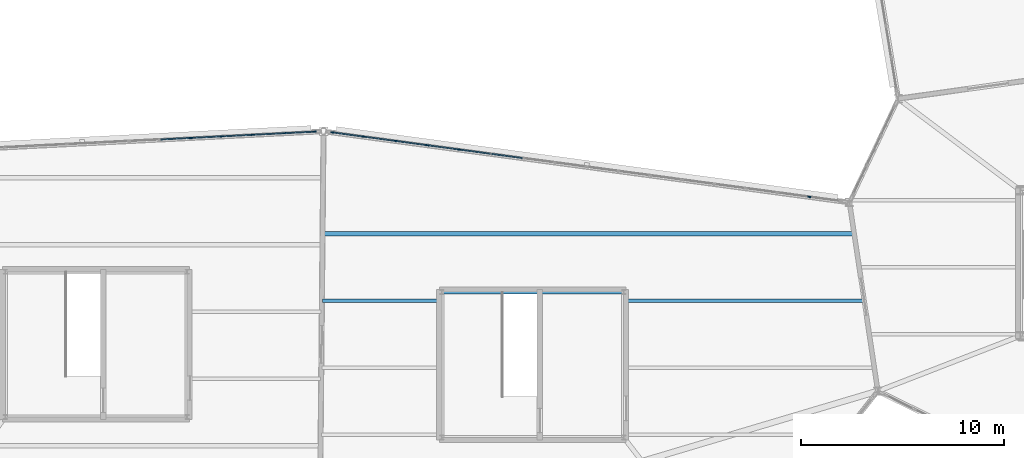
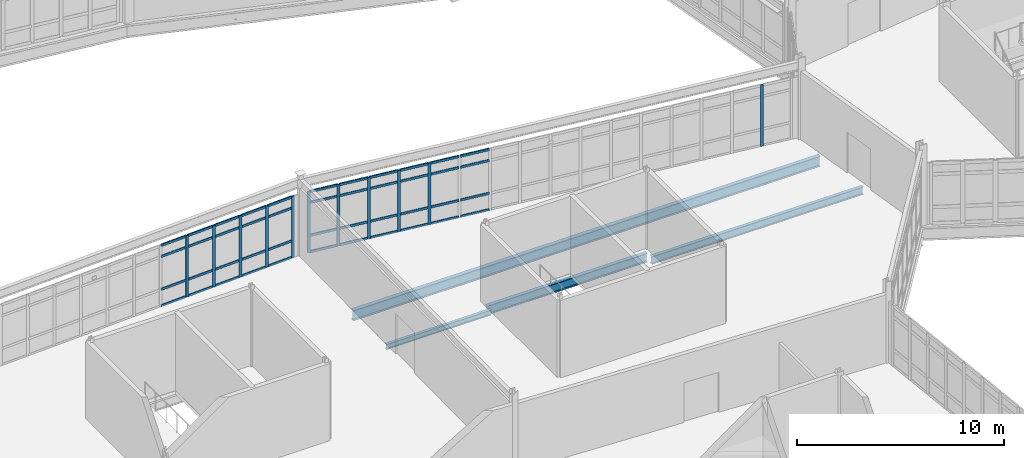
# One storey, part 33 of 134: 55 members, 4 beams, 2 elements without a shape of their own.
"""IFC4 building model written with IfcOpenShell, lengths in metres."""

from ifc_helpers import new_model, si_unit, direction, frame, origin, origin_2d, place, context, subcontext, project, spatial, rectangle, i_section, extrude, material, material_profile, profile_set, type_object, element, aggregate, save


model = new_model("IFC4")

# Units and contexts
model_context = context("Model", 3, precision=1e-05, world=origin(), true_north=direction((0.0, 1.0)))
body_context = subcontext(model_context, "Body", "Model", "MODEL_VIEW")
ifc_project = project(units=[si_unit("LENGTHUNIT", "METRE"), si_unit("AREAUNIT", "SQUARE_METRE"), si_unit("VOLUMEUNIT", "CUBIC_METRE"), si_unit("PLANEANGLEUNIT", "RADIAN"), si_unit("MASSUNIT", "GRAM", prefix="KILO")], contexts=[model_context])

# Site, building, storey
site_placement = place(None, origin())
site = spatial("IfcSite", under=ifc_project, at=site_placement, CompositionType="ELEMENT")
building_placement = place(site_placement, origin())
building = spatial("IfcBuilding", under=site, at=building_placement, Name="Tameran Prism Museum", CompositionType="ELEMENT")
storey_placement = place(building_placement, frame((0.0, 0.0, 5.39990234375)))
storey = spatial("IfcBuildingStorey", under=building, at=storey_placement, Name="L01", CompositionType="ELEMENT", Elevation=5.39990234375)

# Beams
ifc_material_1 = material(Name="Steel Grade 300PLUS (300 MPa)", Category="steel")
ifc_material_profile_1 = material_profile(ifc_material_1, i_section(OverallWidth=0.166015625, OverallDepth=0.306884765625, WebThickness=0.006591796875, FlangeThickness=0.01171875, FilletRadius=0.011474609375, at=origin_2d()))
ifc_profile_set_1 = profile_set([ifc_material_profile_1])
beam_type_1 = type_object("IfcBeamType", Name="BM-J310A", PredefinedType="JOIST", material=ifc_profile_set_1)
beam_1_placement = place(storey_placement, frame((23.659912109375, 34.64990234375, -0.353515625), z_axis=(1.0, 0.0, 0.0), x_axis=(0.0, 1.0, 0.0)))
element("IfcBeam", 1, at=beam_1_placement, inside=storey, type_object=beam_type_1, Name="Floor Beam BM-0610", PredefinedType="JOIST", context=body_context, shape_type="SweptSolid", body=[
    extrude(i_section(OverallWidth=0.166015625, OverallDepth=0.306884765625, WebThickness=0.006591796875, FlangeThickness=0.01171875, FilletRadius=0.011474609375, at=origin_2d()), origin(), (0.0, 0.0, 1.0), 5.860107421875),
])
ifc_material_2 = material(Name="Steel Grade 300PLUS (300 MPa)", Category="steel")
ifc_material_profile_2 = material_profile(ifc_material_2, i_section(OverallWidth=0.18994140625, OverallDepth=0.4541015625, WebThickness=0.008544921875, FlangeThickness=0.0126953125, FilletRadius=0.011474609375, at=origin_2d()))
ifc_profile_set_2 = profile_set([ifc_material_profile_2])
beam_type_2 = type_object("IfcBeamType", Name="BM-J460B", PredefinedType="JOIST", material=ifc_profile_set_2)
beam_2_placement = place(storey_placement, frame((38.47998046875, 34.64990234375, -0.427001953125), z_axis=(1.0, 0.0, 0.0), x_axis=(0.0, 1.0, 0.0)))
element("IfcBeam", 2, at=beam_2_placement, inside=storey, type_object=beam_type_2, Name="Floor Beam BM-0611", PredefinedType="JOIST", context=body_context, shape_type="SweptSolid", body=[
    extrude(i_section(OverallWidth=0.18994140625, OverallDepth=0.4541015625, WebThickness=0.008544921875, FlangeThickness=0.0126953125, FilletRadius=0.011474609375, at=origin_2d()), origin(), (0.0, 0.0, 1.0), 11.81005859375),
])
ifc_material_3 = material(Name="Steel Grade 300PLUS (300 MPa)", Category="steel")
ifc_material_profile_3 = material_profile(ifc_material_3, i_section(OverallWidth=0.208984375, OverallDepth=0.528076171875, WebThickness=0.009521484375, FlangeThickness=0.01318359375, FilletRadius=0.013916015625, at=origin_2d()))
ifc_profile_set_3 = profile_set([ifc_material_profile_3])
beam_type_3 = type_object("IfcBeamType", Name="BM-SP530B", PredefinedType="SPANDREL", material=ifc_profile_set_3)
beam_3_placement = place(storey_placement, frame((38.47998046875, 35.080078125, -0.50390625), z_axis=(-1.0, 0.0, 0.0), x_axis=(0.0, -1.0, 0.0)))
element("IfcBeam", 3, at=beam_3_placement, inside=storey, type_object=beam_type_3, Name="Core Ring Beam CTB-0484", PredefinedType="SPANDREL", context=body_context, shape_type="SweptSolid", body=[
    extrude(i_section(OverallWidth=0.208984375, OverallDepth=0.528076171875, WebThickness=0.009521484375, FlangeThickness=0.01318359375, FilletRadius=0.013916015625, at=origin_2d()), origin(), (0.0, 0.0, 1.0), 8.9599609375),
])
ifc_material_4 = material(Name="Steel Grade 300PLUS (300 MPa)", Category="steel")
ifc_material_profile_4 = material_profile(ifc_material_4, i_section(OverallWidth=0.22802734375, OverallDepth=0.60693359375, WebThickness=0.01123046875, FlangeThickness=0.017333984375, FilletRadius=0.013916015625, at=origin_2d()))
ifc_profile_set_4 = profile_set([ifc_material_profile_4])
beam_type_4 = type_object("IfcBeamType", Name="BM-UB610B", PredefinedType="BEAM", material=ifc_profile_set_4)
beam_4_placement = place(storey_placement, frame((23.69189453125, 37.949951171875, -0.50341796875), z_axis=(1.0, 0.0, 0.0), x_axis=(0.0, 1.0, 0.0)))
element("IfcBeam", 4, at=beam_4_placement, inside=storey, type_object=beam_type_4, Name="Floor Beam BM-0612", PredefinedType="BEAM", context=body_context, shape_type="SweptSolid", body=[
    extrude(i_section(OverallWidth=0.22802734375, OverallDepth=0.60693359375, WebThickness=0.01123046875, FlangeThickness=0.017333984375, FilletRadius=0.013916015625, at=origin_2d()), origin(), (0.0, 0.0, 1.0), 26.10107421875),
])

# Curtain wall, members
ifc_material_5 = material(Name="Anodised Aluminium 6063-T6 and Cyclone Solar Glass", Category="aluminium")
curtain_wall_type_1 = type_object("IfcCurtainWallType", Name="CW-FAC-2297x362", PredefinedType="USERDEFINED", material=ifc_material_5)
curtain_wall_1_placement = place(storey_placement, origin())
curtain_wall_1 = element("IfcCurtainWall", 5, at=curtain_wall_1_placement, inside=storey, type_object=curtain_wall_type_1, Name="Unitised Curtain Wall CW-087", ObjectType="UNITISED CURTAIN WALL", PredefinedType="USERDEFINED")
ifc_material_6 = material(Name="Anodised Aluminium Alloy 6063-T6", Category="aluminium")
ifc_material_profile_5 = material_profile(ifc_material_6, rectangle(XDim=0.06494140625, YDim=0.159912109375, at=origin_2d()))
ifc_profile_set_5 = profile_set([ifc_material_profile_5])
member_type_1 = type_object("IfcMemberType", Name="CW-MUL-A", PredefinedType="MULLION", material=ifc_profile_set_5)
member_1_placement = place(storey_placement, frame((17.172607421875, 42.66943359375, 0.0), z_axis=(0.0, 0.0, 1.0), x_axis=(-0.050545595335, 0.99872175444, 0.0)))
member_1 = element("IfcMember", 6, at=member_1_placement, type_object=member_type_1, Name="CW-087 mullion 12", PredefinedType="MULLION", context=body_context, shape_type="SweptSolid", body=[
    extrude(rectangle(XDim=0.06494140625, YDim=0.159912109375, at=origin_2d()), origin(), (0.0, 0.0, 1.0), 3.6201171875),
])
member_2_placement = place(storey_placement, frame((18.701904296875, 42.746826171875, 0.0), z_axis=(0.0, 0.0, 1.0), x_axis=(-0.050545595335, 0.99872175444, 0.0)))
member_2 = element("IfcMember", 7, at=member_2_placement, type_object=member_type_1, Name="CW-087 mullion 13", PredefinedType="MULLION", context=body_context, shape_type="SweptSolid", body=[
    extrude(rectangle(XDim=0.06494140625, YDim=0.159912109375, at=origin_2d()), origin(), (0.0, 0.0, 1.0), 3.6201171875),
])
member_3_placement = place(storey_placement, frame((20.2314453125, 42.82421875, 0.0), z_axis=(0.0, 0.0, 1.0), x_axis=(-0.050545595335, 0.99872175444, 0.0)))
member_3 = element("IfcMember", 8, at=member_3_placement, type_object=member_type_1, Name="CW-087 mullion 14", PredefinedType="MULLION", context=body_context, shape_type="SweptSolid", body=[
    extrude(rectangle(XDim=0.06494140625, YDim=0.159912109375, at=origin_2d()), origin(), (0.0, 0.0, 1.0), 3.6201171875),
])
member_4_placement = place(storey_placement, frame((21.7607421875, 42.901611328125, 0.0), z_axis=(0.0, 0.0, 1.0), x_axis=(-0.050545595335, 0.99872175444, 0.0)))
member_4 = element("IfcMember", 9, at=member_4_placement, type_object=member_type_1, Name="CW-087 mullion 15", PredefinedType="MULLION", context=body_context, shape_type="SweptSolid", body=[
    extrude(rectangle(XDim=0.06494140625, YDim=0.159912109375, at=origin_2d()), origin(), (0.0, 0.0, 1.0), 3.6201171875),
])
member_5_placement = place(storey_placement, frame((23.257568359375, 42.977294921875, 0.0), z_axis=(0.0, 0.0, 1.0), x_axis=(-0.050545595335, 0.99872175444, 0.0)))
member_5 = element("IfcMember", 10, at=member_5_placement, type_object=member_type_1, Name="CW-087 mullion 16", PredefinedType="MULLION", context=body_context, shape_type="SweptSolid", body=[
    extrude(rectangle(XDim=0.06494140625, YDim=0.159912109375, at=origin_2d()), origin(), (0.0, 0.0, 1.0), 3.6201171875),
])

ifc_material_7 = material(Name="Anodised Aluminium 6063-T6 and Cyclone Solar Glass", Category="aluminium")
curtain_wall_type_2 = type_object("IfcCurtainWallType", Name="CW-FAC-2532x362", PredefinedType="USERDEFINED", material=ifc_material_7)
curtain_wall_2_placement = place(storey_placement, origin())
curtain_wall_2 = element("IfcCurtainWall", 11, at=curtain_wall_2_placement, inside=storey, type_object=curtain_wall_type_2, Name="Unitised Curtain Wall CW-091", ObjectType="UNITISED CURTAIN WALL", PredefinedType="USERDEFINED")
member_6_placement = place(storey_placement, frame((24.13916015625, 42.940673828125, 0.0), z_axis=(0.0, 0.0, 1.0), x_axis=(0.133912653592, 0.99099313883, 0.0)))
member_6 = element("IfcMember", 12, at=member_6_placement, type_object=member_type_1, Name="CW-091 mullion 1", PredefinedType="MULLION", context=body_context, shape_type="SweptSolid", body=[
    extrude(rectangle(XDim=0.06494140625, YDim=0.159912109375, at=origin_2d()), origin(), (0.0, 0.0, 1.0), 3.6201171875),
])
member_7_placement = place(storey_placement, frame((25.675048828125, 42.733154296875, 0.0), z_axis=(0.0, 0.0, 1.0), x_axis=(0.133912653592, 0.99099313883, 0.0)))
member_7 = element("IfcMember", 13, at=member_7_placement, type_object=member_type_1, Name="CW-091 mullion 2", PredefinedType="MULLION", context=body_context, shape_type="SweptSolid", body=[
    extrude(rectangle(XDim=0.06494140625, YDim=0.159912109375, at=origin_2d()), origin(), (0.0, 0.0, 1.0), 3.6201171875),
])
member_8_placement = place(storey_placement, frame((27.242919921875, 42.521240234375, 0.0), z_axis=(0.0, 0.0, 1.0), x_axis=(0.133912653592, 0.99099313883, 0.0)))
member_8 = element("IfcMember", 14, at=member_8_placement, type_object=member_type_1, Name="CW-091 mullion 3", PredefinedType="MULLION", context=body_context, shape_type="SweptSolid", body=[
    extrude(rectangle(XDim=0.06494140625, YDim=0.159912109375, at=origin_2d()), origin(), (0.0, 0.0, 1.0), 3.6201171875),
])
member_9_placement = place(storey_placement, frame((28.810791015625, 42.309326171875, 0.0), z_axis=(0.0, 0.0, 1.0), x_axis=(0.133912653592, 0.99099313883, 0.0)))
member_9 = element("IfcMember", 15, at=member_9_placement, type_object=member_type_1, Name="CW-091 mullion 4", PredefinedType="MULLION", context=body_context, shape_type="SweptSolid", body=[
    extrude(rectangle(XDim=0.06494140625, YDim=0.159912109375, at=origin_2d()), origin(), (0.0, 0.0, 1.0), 3.6201171875),
])
member_10_placement = place(storey_placement, frame((30.378662109375, 42.097412109375, 0.0), z_axis=(0.0, 0.0, 1.0), x_axis=(0.133912653592, 0.99099313883, 0.0)))
member_10 = element("IfcMember", 16, at=member_10_placement, type_object=member_type_1, Name="CW-091 mullion 5", PredefinedType="MULLION", context=body_context, shape_type="SweptSolid", body=[
    extrude(rectangle(XDim=0.06494140625, YDim=0.159912109375, at=origin_2d()), origin(), (0.0, 0.0, 1.0), 3.6201171875),
])
member_11_placement = place(storey_placement, frame((47.6259765625, 39.766845703125, 0.0), z_axis=(0.0, 0.0, 1.0), x_axis=(0.133912653592, 0.99099313883, 0.0)))
member_11 = element("IfcMember", 17, at=member_11_placement, type_object=member_type_1, Name="CW-091 mullion 16", PredefinedType="MULLION", context=body_context, shape_type="SweptSolid", body=[
    extrude(rectangle(XDim=0.06494140625, YDim=0.159912109375, at=origin_2d()), origin(), (0.0, 0.0, 1.0), 3.6201171875),
])

# Member
ifc_material_8 = material(Name="Anodised Aluminium Alloy 6063-T6", Category="aluminium")
ifc_material_profile_6 = material_profile(ifc_material_8, rectangle(XDim=0.06494140625, YDim=0.139892578125, at=origin_2d()))
ifc_profile_set_6 = profile_set([ifc_material_profile_6])
member_type_2 = type_object("IfcMemberType", Name="CW-TRN-A", PredefinedType="USERDEFINED", material=ifc_profile_set_6)
member_12_placement = place(storey_placement, frame((15.67578125, 42.59375, 0.03271484375), z_axis=(0.99872646148, 0.050452503806, 0.0), x_axis=(-0.050452503806, 0.99872646148, 0.0)))
member_12 = element("IfcMember", 18, at=member_12_placement, type_object=member_type_2, Name="CW-087 transom 11.1", ObjectType="TRANSOM", PredefinedType="USERDEFINED", context=body_context, shape_type="SweptSolid", body=[
    extrude(rectangle(XDim=0.06494140625, YDim=0.139892578125, at=origin_2d()), origin(), (0.0, 0.0, 1.0), 1.46630859375),
])

member_13_placement = place(storey_placement, frame((15.67578125, 42.59375, 1.0), z_axis=(0.99872646148, 0.050452503806, 0.0), x_axis=(-0.050452503806, 0.99872646148, 0.0)))
member_13 = element("IfcMember", 19, at=member_13_placement, type_object=member_type_2, Name="CW-087 transom 11.2", ObjectType="TRANSOM", PredefinedType="USERDEFINED", context=body_context, shape_type="SweptSolid", body=[
    extrude(rectangle(XDim=0.06494140625, YDim=0.139892578125, at=origin_2d()), origin(), (0.0, 0.0, 1.0), 1.46630859375),
])

member_14_placement = place(storey_placement, frame((15.67578125, 42.59375, 2.940185546875), z_axis=(0.99872646148, 0.050452503806, 0.0), x_axis=(-0.050452503806, 0.99872646148, 0.0)))
member_14 = element("IfcMember", 20, at=member_14_placement, type_object=member_type_2, Name="CW-087 transom 11.3", ObjectType="TRANSOM", PredefinedType="USERDEFINED", context=body_context, shape_type="SweptSolid", body=[
    extrude(rectangle(XDim=0.06494140625, YDim=0.139892578125, at=origin_2d()), origin(), (0.0, 0.0, 1.0), 1.46630859375),
])

member_15_placement = place(storey_placement, frame((15.67578125, 42.59375, 3.587646484375), z_axis=(0.99872646148, 0.050452503806, 0.0), x_axis=(-0.050452503806, 0.99872646148, 0.0)))
member_15 = element("IfcMember", 21, at=member_15_placement, type_object=member_type_2, Name="CW-087 transom 11.4", ObjectType="TRANSOM", PredefinedType="USERDEFINED", context=body_context, shape_type="SweptSolid", body=[
    extrude(rectangle(XDim=0.06494140625, YDim=0.139892578125, at=origin_2d()), origin(), (0.0, 0.0, 1.0), 1.46630859375),
])

member_16_placement = place(storey_placement, frame((17.205078125, 42.671142578125, 0.03271484375), z_axis=(0.99872646148, 0.050452503806, 0.0), x_axis=(-0.050452503806, 0.99872646148, 0.0)))
member_16 = element("IfcMember", 22, at=member_16_placement, type_object=member_type_2, Name="CW-087 transom 12.1", ObjectType="TRANSOM", PredefinedType="USERDEFINED", context=body_context, shape_type="SweptSolid", body=[
    extrude(rectangle(XDim=0.06494140625, YDim=0.139892578125, at=origin_2d()), origin(), (0.0, 0.0, 1.0), 1.46630859375),
])

member_17_placement = place(storey_placement, frame((17.205078125, 42.671142578125, 1.0), z_axis=(0.99872646148, 0.050452503806, 0.0), x_axis=(-0.050452503806, 0.99872646148, 0.0)))
member_17 = element("IfcMember", 23, at=member_17_placement, type_object=member_type_2, Name="CW-087 transom 12.2", ObjectType="TRANSOM", PredefinedType="USERDEFINED", context=body_context, shape_type="SweptSolid", body=[
    extrude(rectangle(XDim=0.06494140625, YDim=0.139892578125, at=origin_2d()), origin(), (0.0, 0.0, 1.0), 1.46630859375),
])

member_18_placement = place(storey_placement, frame((17.205078125, 42.671142578125, 2.940185546875), z_axis=(0.99872646148, 0.050452503806, 0.0), x_axis=(-0.050452503806, 0.99872646148, 0.0)))
member_18 = element("IfcMember", 24, at=member_18_placement, type_object=member_type_2, Name="CW-087 transom 12.3", ObjectType="TRANSOM", PredefinedType="USERDEFINED", context=body_context, shape_type="SweptSolid", body=[
    extrude(rectangle(XDim=0.06494140625, YDim=0.139892578125, at=origin_2d()), origin(), (0.0, 0.0, 1.0), 1.46630859375),
])

member_19_placement = place(storey_placement, frame((17.205078125, 42.671142578125, 3.587646484375), z_axis=(0.99872646148, 0.050452503806, 0.0), x_axis=(-0.050452503806, 0.99872646148, 0.0)))
member_19 = element("IfcMember", 25, at=member_19_placement, type_object=member_type_2, Name="CW-087 transom 12.4", ObjectType="TRANSOM", PredefinedType="USERDEFINED", context=body_context, shape_type="SweptSolid", body=[
    extrude(rectangle(XDim=0.06494140625, YDim=0.139892578125, at=origin_2d()), origin(), (0.0, 0.0, 1.0), 1.46630859375),
])

member_20_placement = place(storey_placement, frame((18.734375, 42.74853515625, 0.03271484375), z_axis=(0.998726885217, 0.050444115056, 0.0), x_axis=(-0.050444115056, 0.998726885217, 0.0)))
member_20 = element("IfcMember", 26, at=member_20_placement, type_object=member_type_2, Name="CW-087 transom 13.1", ObjectType="TRANSOM", PredefinedType="USERDEFINED", context=body_context, shape_type="SweptSolid", body=[
    extrude(rectangle(XDim=0.06494140625, YDim=0.139892578125, at=origin_2d()), origin(), (0.0, 0.0, 1.0), 1.466552734375),
])

member_21_placement = place(storey_placement, frame((18.734375, 42.74853515625, 1.0), z_axis=(0.998726885217, 0.050444115056, 0.0), x_axis=(-0.050444115056, 0.998726885217, 0.0)))
member_21 = element("IfcMember", 27, at=member_21_placement, type_object=member_type_2, Name="CW-087 transom 13.2", ObjectType="TRANSOM", PredefinedType="USERDEFINED", context=body_context, shape_type="SweptSolid", body=[
    extrude(rectangle(XDim=0.06494140625, YDim=0.139892578125, at=origin_2d()), origin(), (0.0, 0.0, 1.0), 1.466552734375),
])

member_22_placement = place(storey_placement, frame((18.734375, 42.74853515625, 2.940185546875), z_axis=(0.998726885217, 0.050444115056, 0.0), x_axis=(-0.050444115056, 0.998726885217, 0.0)))
member_22 = element("IfcMember", 28, at=member_22_placement, type_object=member_type_2, Name="CW-087 transom 13.3", ObjectType="TRANSOM", PredefinedType="USERDEFINED", context=body_context, shape_type="SweptSolid", body=[
    extrude(rectangle(XDim=0.06494140625, YDim=0.139892578125, at=origin_2d()), origin(), (0.0, 0.0, 1.0), 1.466552734375),
])

member_23_placement = place(storey_placement, frame((18.734375, 42.74853515625, 3.587646484375), z_axis=(0.998726885217, 0.050444115056, 0.0), x_axis=(-0.050444115056, 0.998726885217, 0.0)))
member_23 = element("IfcMember", 29, at=member_23_placement, type_object=member_type_2, Name="CW-087 transom 13.4", ObjectType="TRANSOM", PredefinedType="USERDEFINED", context=body_context, shape_type="SweptSolid", body=[
    extrude(rectangle(XDim=0.06494140625, YDim=0.139892578125, at=origin_2d()), origin(), (0.0, 0.0, 1.0), 1.466552734375),
])

member_24_placement = place(storey_placement, frame((20.263671875, 42.825927734375, 0.03271484375), z_axis=(0.998726885217, 0.050444115056, 0.0), x_axis=(-0.050444115056, 0.998726885217, 0.0)))
member_24 = element("IfcMember", 30, at=member_24_placement, type_object=member_type_2, Name="CW-087 transom 14.1", ObjectType="TRANSOM", PredefinedType="USERDEFINED", context=body_context, shape_type="SweptSolid", body=[
    extrude(rectangle(XDim=0.06494140625, YDim=0.139892578125, at=origin_2d()), origin(), (0.0, 0.0, 1.0), 1.466552734375),
])

member_25_placement = place(storey_placement, frame((20.263671875, 42.825927734375, 1.0), z_axis=(0.998726885217, 0.050444115056, 0.0), x_axis=(-0.050444115056, 0.998726885217, 0.0)))
member_25 = element("IfcMember", 31, at=member_25_placement, type_object=member_type_2, Name="CW-087 transom 14.2", ObjectType="TRANSOM", PredefinedType="USERDEFINED", context=body_context, shape_type="SweptSolid", body=[
    extrude(rectangle(XDim=0.06494140625, YDim=0.139892578125, at=origin_2d()), origin(), (0.0, 0.0, 1.0), 1.466552734375),
])

member_26_placement = place(storey_placement, frame((20.263671875, 42.825927734375, 2.940185546875), z_axis=(0.998726885217, 0.050444115056, 0.0), x_axis=(-0.050444115056, 0.998726885217, 0.0)))
member_26 = element("IfcMember", 32, at=member_26_placement, type_object=member_type_2, Name="CW-087 transom 14.3", ObjectType="TRANSOM", PredefinedType="USERDEFINED", context=body_context, shape_type="SweptSolid", body=[
    extrude(rectangle(XDim=0.06494140625, YDim=0.139892578125, at=origin_2d()), origin(), (0.0, 0.0, 1.0), 1.466552734375),
])

member_27_placement = place(storey_placement, frame((20.263671875, 42.825927734375, 3.587646484375), z_axis=(0.998726885217, 0.050444115056, 0.0), x_axis=(-0.050444115056, 0.998726885217, 0.0)))
member_27 = element("IfcMember", 33, at=member_27_placement, type_object=member_type_2, Name="CW-087 transom 14.4", ObjectType="TRANSOM", PredefinedType="USERDEFINED", context=body_context, shape_type="SweptSolid", body=[
    extrude(rectangle(XDim=0.06494140625, YDim=0.139892578125, at=origin_2d()), origin(), (0.0, 0.0, 1.0), 1.466552734375),
])

member_28_placement = place(storey_placement, frame((21.793212890625, 42.9033203125, 0.03271484375), z_axis=(0.99872028698, 0.050574582307, 0.0), x_axis=(-0.050574582307, 0.99872028698, 0.0)))
member_28 = element("IfcMember", 34, at=member_28_placement, type_object=member_type_2, Name="CW-087 transom 15.1", ObjectType="TRANSOM", PredefinedType="USERDEFINED", context=body_context, shape_type="SweptSolid", body=[
    extrude(rectangle(XDim=0.06494140625, YDim=0.139892578125, at=origin_2d()), origin(), (0.0, 0.0, 1.0), 1.433837890625),
])

member_29_placement = place(storey_placement, frame((21.793212890625, 42.9033203125, 1.0), z_axis=(0.99872028698, 0.050574582307, 0.0), x_axis=(-0.050574582307, 0.99872028698, 0.0)))
member_29 = element("IfcMember", 35, at=member_29_placement, type_object=member_type_2, Name="CW-087 transom 15.2", ObjectType="TRANSOM", PredefinedType="USERDEFINED", context=body_context, shape_type="SweptSolid", body=[
    extrude(rectangle(XDim=0.06494140625, YDim=0.139892578125, at=origin_2d()), origin(), (0.0, 0.0, 1.0), 1.433837890625),
])

member_30_placement = place(storey_placement, frame((21.793212890625, 42.9033203125, 2.940185546875), z_axis=(0.99872028698, 0.050574582307, 0.0), x_axis=(-0.050574582307, 0.99872028698, 0.0)))
member_30 = element("IfcMember", 36, at=member_30_placement, type_object=member_type_2, Name="CW-087 transom 15.3", ObjectType="TRANSOM", PredefinedType="USERDEFINED", context=body_context, shape_type="SweptSolid", body=[
    extrude(rectangle(XDim=0.06494140625, YDim=0.139892578125, at=origin_2d()), origin(), (0.0, 0.0, 1.0), 1.433837890625),
])

member_31_placement = place(storey_placement, frame((21.793212890625, 42.9033203125, 3.587646484375), z_axis=(0.99872028698, 0.050574582307, 0.0), x_axis=(-0.050574582307, 0.99872028698, 0.0)))
member_31 = element("IfcMember", 37, at=member_31_placement, type_object=member_type_2, Name="CW-087 transom 15.4", ObjectType="TRANSOM", PredefinedType="USERDEFINED", context=body_context, shape_type="SweptSolid", body=[
    extrude(rectangle(XDim=0.06494140625, YDim=0.139892578125, at=origin_2d()), origin(), (0.0, 0.0, 1.0), 1.433837890625),
])

aggregate(curtain_wall_1, [member_1, member_2, member_3, member_4, member_5, member_12, member_13, member_14, member_15, member_16, member_17, member_18, member_19, member_20, member_21, member_22, member_23, member_24, member_25, member_26, member_27, member_28, member_29, member_30, member_31])

member_32_placement = place(storey_placement, frame((24.17138671875, 42.936279296875, 0.03271484375), z_axis=(0.991002453679, -0.133843702886, 0.0), x_axis=(0.133843702886, 0.991002453679, 0.0)))
member_32 = element("IfcMember", 38, at=member_32_placement, type_object=member_type_2, Name="CW-091 transom 1.1", ObjectType="TRANSOM", PredefinedType="USERDEFINED", context=body_context, shape_type="SweptSolid", body=[
    extrude(rectangle(XDim=0.06494140625, YDim=0.139892578125, at=origin_2d()), origin(), (0.0, 0.0, 1.0), 1.48486328125),
])

member_33_placement = place(storey_placement, frame((24.17138671875, 42.936279296875, 1.0), z_axis=(0.991002453679, -0.133843702886, 0.0), x_axis=(0.133843702886, 0.991002453679, 0.0)))
member_33 = element("IfcMember", 39, at=member_33_placement, type_object=member_type_2, Name="CW-091 transom 1.2", ObjectType="TRANSOM", PredefinedType="USERDEFINED", context=body_context, shape_type="SweptSolid", body=[
    extrude(rectangle(XDim=0.06494140625, YDim=0.139892578125, at=origin_2d()), origin(), (0.0, 0.0, 1.0), 1.48486328125),
])

member_34_placement = place(storey_placement, frame((24.17138671875, 42.936279296875, 2.940185546875), z_axis=(0.991002453679, -0.133843702886, 0.0), x_axis=(0.133843702886, 0.991002453679, 0.0)))
member_34 = element("IfcMember", 40, at=member_34_placement, type_object=member_type_2, Name="CW-091 transom 1.3", ObjectType="TRANSOM", PredefinedType="USERDEFINED", context=body_context, shape_type="SweptSolid", body=[
    extrude(rectangle(XDim=0.06494140625, YDim=0.139892578125, at=origin_2d()), origin(), (0.0, 0.0, 1.0), 1.48486328125),
])

member_35_placement = place(storey_placement, frame((24.17138671875, 42.936279296875, 3.587646484375), z_axis=(0.991002453679, -0.133843702886, 0.0), x_axis=(0.133843702886, 0.991002453679, 0.0)))
member_35 = element("IfcMember", 41, at=member_35_placement, type_object=member_type_2, Name="CW-091 transom 1.4", ObjectType="TRANSOM", PredefinedType="USERDEFINED", context=body_context, shape_type="SweptSolid", body=[
    extrude(rectangle(XDim=0.06494140625, YDim=0.139892578125, at=origin_2d()), origin(), (0.0, 0.0, 1.0), 1.48486328125),
])

member_36_placement = place(storey_placement, frame((25.70703125, 42.728759765625, 0.03271484375), z_axis=(0.990998777676, -0.133870917848, 0.0), x_axis=(0.133870917848, 0.990998777676, 0.0)))
member_36 = element("IfcMember", 42, at=member_36_placement, type_object=member_type_2, Name="CW-091 transom 2.1", ObjectType="TRANSOM", PredefinedType="USERDEFINED", context=body_context, shape_type="SweptSolid", body=[
    extrude(rectangle(XDim=0.06494140625, YDim=0.139892578125, at=origin_2d()), origin(), (0.0, 0.0, 1.0), 1.517333984375),
])

member_37_placement = place(storey_placement, frame((25.70703125, 42.728759765625, 1.0), z_axis=(0.990998777676, -0.133870917848, 0.0), x_axis=(0.133870917848, 0.990998777676, 0.0)))
member_37 = element("IfcMember", 43, at=member_37_placement, type_object=member_type_2, Name="CW-091 transom 2.2", ObjectType="TRANSOM", PredefinedType="USERDEFINED", context=body_context, shape_type="SweptSolid", body=[
    extrude(rectangle(XDim=0.06494140625, YDim=0.139892578125, at=origin_2d()), origin(), (0.0, 0.0, 1.0), 1.517333984375),
])

member_38_placement = place(storey_placement, frame((25.70703125, 42.728759765625, 2.940185546875), z_axis=(0.990998777676, -0.133870917848, 0.0), x_axis=(0.133870917848, 0.990998777676, 0.0)))
member_38 = element("IfcMember", 44, at=member_38_placement, type_object=member_type_2, Name="CW-091 transom 2.3", ObjectType="TRANSOM", PredefinedType="USERDEFINED", context=body_context, shape_type="SweptSolid", body=[
    extrude(rectangle(XDim=0.06494140625, YDim=0.139892578125, at=origin_2d()), origin(), (0.0, 0.0, 1.0), 1.517333984375),
])

member_39_placement = place(storey_placement, frame((25.70703125, 42.728759765625, 3.587646484375), z_axis=(0.990998777676, -0.133870917848, 0.0), x_axis=(0.133870917848, 0.990998777676, 0.0)))
member_39 = element("IfcMember", 45, at=member_39_placement, type_object=member_type_2, Name="CW-091 transom 2.4", ObjectType="TRANSOM", PredefinedType="USERDEFINED", context=body_context, shape_type="SweptSolid", body=[
    extrude(rectangle(XDim=0.06494140625, YDim=0.139892578125, at=origin_2d()), origin(), (0.0, 0.0, 1.0), 1.517333984375),
])

member_40_placement = place(storey_placement, frame((27.275146484375, 42.516845703125, 0.03271484375), z_axis=(0.990995893383, -0.133892267505, 0.0), x_axis=(0.133892267505, 0.990995893383, 0.0)))
member_40 = element("IfcMember", 46, at=member_40_placement, type_object=member_type_2, Name="CW-091 transom 3.1", ObjectType="TRANSOM", PredefinedType="USERDEFINED", context=body_context, shape_type="SweptSolid", body=[
    extrude(rectangle(XDim=0.06494140625, YDim=0.139892578125, at=origin_2d()), origin(), (0.0, 0.0, 1.0), 1.51708984375),
])

member_41_placement = place(storey_placement, frame((27.275146484375, 42.516845703125, 1.0), z_axis=(0.990995893383, -0.133892267505, 0.0), x_axis=(0.133892267505, 0.990995893383, 0.0)))
member_41 = element("IfcMember", 47, at=member_41_placement, type_object=member_type_2, Name="CW-091 transom 3.2", ObjectType="TRANSOM", PredefinedType="USERDEFINED", context=body_context, shape_type="SweptSolid", body=[
    extrude(rectangle(XDim=0.06494140625, YDim=0.139892578125, at=origin_2d()), origin(), (0.0, 0.0, 1.0), 1.51708984375),
])

member_42_placement = place(storey_placement, frame((27.275146484375, 42.516845703125, 2.940185546875), z_axis=(0.990995893383, -0.133892267505, 0.0), x_axis=(0.133892267505, 0.990995893383, 0.0)))
member_42 = element("IfcMember", 48, at=member_42_placement, type_object=member_type_2, Name="CW-091 transom 3.3", ObjectType="TRANSOM", PredefinedType="USERDEFINED", context=body_context, shape_type="SweptSolid", body=[
    extrude(rectangle(XDim=0.06494140625, YDim=0.139892578125, at=origin_2d()), origin(), (0.0, 0.0, 1.0), 1.51708984375),
])

member_43_placement = place(storey_placement, frame((27.275146484375, 42.516845703125, 3.587646484375), z_axis=(0.990995893383, -0.133892267505, 0.0), x_axis=(0.133892267505, 0.990995893383, 0.0)))
member_43 = element("IfcMember", 49, at=member_43_placement, type_object=member_type_2, Name="CW-091 transom 3.4", ObjectType="TRANSOM", PredefinedType="USERDEFINED", context=body_context, shape_type="SweptSolid", body=[
    extrude(rectangle(XDim=0.06494140625, YDim=0.139892578125, at=origin_2d()), origin(), (0.0, 0.0, 1.0), 1.51708984375),
])

member_44_placement = place(storey_placement, frame((28.843017578125, 42.304931640625, 0.03271484375), z_axis=(0.990995893383, -0.133892267505, 0.0), x_axis=(0.133892267505, 0.990995893383, 0.0)))
member_44 = element("IfcMember", 50, at=member_44_placement, type_object=member_type_2, Name="CW-091 transom 4.1", ObjectType="TRANSOM", PredefinedType="USERDEFINED", context=body_context, shape_type="SweptSolid", body=[
    extrude(rectangle(XDim=0.06494140625, YDim=0.139892578125, at=origin_2d()), origin(), (0.0, 0.0, 1.0), 1.51708984375),
])

member_45_placement = place(storey_placement, frame((28.843017578125, 42.304931640625, 1.0), z_axis=(0.990995893383, -0.133892267505, 0.0), x_axis=(0.133892267505, 0.990995893383, 0.0)))
member_45 = element("IfcMember", 51, at=member_45_placement, type_object=member_type_2, Name="CW-091 transom 4.2", ObjectType="TRANSOM", PredefinedType="USERDEFINED", context=body_context, shape_type="SweptSolid", body=[
    extrude(rectangle(XDim=0.06494140625, YDim=0.139892578125, at=origin_2d()), origin(), (0.0, 0.0, 1.0), 1.51708984375),
])

member_46_placement = place(storey_placement, frame((28.843017578125, 42.304931640625, 2.940185546875), z_axis=(0.990995893383, -0.133892267505, 0.0), x_axis=(0.133892267505, 0.990995893383, 0.0)))
member_46 = element("IfcMember", 52, at=member_46_placement, type_object=member_type_2, Name="CW-091 transom 4.3", ObjectType="TRANSOM", PredefinedType="USERDEFINED", context=body_context, shape_type="SweptSolid", body=[
    extrude(rectangle(XDim=0.06494140625, YDim=0.139892578125, at=origin_2d()), origin(), (0.0, 0.0, 1.0), 1.51708984375),
])

member_47_placement = place(storey_placement, frame((28.843017578125, 42.304931640625, 3.587646484375), z_axis=(0.990995893383, -0.133892267505, 0.0), x_axis=(0.133892267505, 0.990995893383, 0.0)))
member_47 = element("IfcMember", 53, at=member_47_placement, type_object=member_type_2, Name="CW-091 transom 4.4", ObjectType="TRANSOM", PredefinedType="USERDEFINED", context=body_context, shape_type="SweptSolid", body=[
    extrude(rectangle(XDim=0.06494140625, YDim=0.139892578125, at=origin_2d()), origin(), (0.0, 0.0, 1.0), 1.51708984375),
])

member_48_placement = place(storey_placement, frame((30.410888671875, 42.09326171875, 0.03271484375), z_axis=(0.990977419254, -0.134028931684, 0.0), x_axis=(0.134028931684, 0.990977419254, 0.0)))
member_48 = element("IfcMember", 54, at=member_48_placement, type_object=member_type_2, Name="CW-091 transom 5.1", ObjectType="TRANSOM", PredefinedType="USERDEFINED", context=body_context, shape_type="SweptSolid", body=[
    extrude(rectangle(XDim=0.06494140625, YDim=0.139892578125, at=origin_2d()), origin(), (0.0, 0.0, 1.0), 1.517333984375),
])

member_49_placement = place(storey_placement, frame((30.410888671875, 42.09326171875, 1.0), z_axis=(0.990977419254, -0.134028931684, 0.0), x_axis=(0.134028931684, 0.990977419254, 0.0)))
member_49 = element("IfcMember", 55, at=member_49_placement, type_object=member_type_2, Name="CW-091 transom 5.2", ObjectType="TRANSOM", PredefinedType="USERDEFINED", context=body_context, shape_type="SweptSolid", body=[
    extrude(rectangle(XDim=0.06494140625, YDim=0.139892578125, at=origin_2d()), origin(), (0.0, 0.0, 1.0), 1.517333984375),
])

member_50_placement = place(storey_placement, frame((30.410888671875, 42.09326171875, 2.940185546875), z_axis=(0.990977419254, -0.134028931684, 0.0), x_axis=(0.134028931684, 0.990977419254, 0.0)))
member_50 = element("IfcMember", 56, at=member_50_placement, type_object=member_type_2, Name="CW-091 transom 5.3", ObjectType="TRANSOM", PredefinedType="USERDEFINED", context=body_context, shape_type="SweptSolid", body=[
    extrude(rectangle(XDim=0.06494140625, YDim=0.139892578125, at=origin_2d()), origin(), (0.0, 0.0, 1.0), 1.517333984375),
])

member_51_placement = place(storey_placement, frame((30.410888671875, 42.09326171875, 3.587646484375), z_axis=(0.990977419254, -0.134028931684, 0.0), x_axis=(0.134028931684, 0.990977419254, 0.0)))
member_51 = element("IfcMember", 57, at=member_51_placement, type_object=member_type_2, Name="CW-091 transom 5.4", ObjectType="TRANSOM", PredefinedType="USERDEFINED", context=body_context, shape_type="SweptSolid", body=[
    extrude(rectangle(XDim=0.06494140625, YDim=0.139892578125, at=origin_2d()), origin(), (0.0, 0.0, 1.0), 1.517333984375),
])

member_52_placement = place(storey_placement, frame((31.97900390625, 41.88134765625, 0.03271484375), z_axis=(0.990995893383, -0.133892267505, 0.0), x_axis=(0.133892267505, 0.990995893383, 0.0)))
member_52 = element("IfcMember", 58, at=member_52_placement, type_object=member_type_2, Name="CW-091 transom 6.1", ObjectType="TRANSOM", PredefinedType="USERDEFINED", context=body_context, shape_type="SweptSolid", body=[
    extrude(rectangle(XDim=0.06494140625, YDim=0.139892578125, at=origin_2d()), origin(), (0.0, 0.0, 1.0), 1.51708984375),
])

member_53_placement = place(storey_placement, frame((31.97900390625, 41.88134765625, 1.0), z_axis=(0.990995893383, -0.133892267505, 0.0), x_axis=(0.133892267505, 0.990995893383, 0.0)))
member_53 = element("IfcMember", 59, at=member_53_placement, type_object=member_type_2, Name="CW-091 transom 6.2", ObjectType="TRANSOM", PredefinedType="USERDEFINED", context=body_context, shape_type="SweptSolid", body=[
    extrude(rectangle(XDim=0.06494140625, YDim=0.139892578125, at=origin_2d()), origin(), (0.0, 0.0, 1.0), 1.51708984375),
])

member_54_placement = place(storey_placement, frame((31.97900390625, 41.88134765625, 2.940185546875), z_axis=(0.990995893383, -0.133892267505, 0.0), x_axis=(0.133892267505, 0.990995893383, 0.0)))
member_54 = element("IfcMember", 60, at=member_54_placement, type_object=member_type_2, Name="CW-091 transom 6.3", ObjectType="TRANSOM", PredefinedType="USERDEFINED", context=body_context, shape_type="SweptSolid", body=[
    extrude(rectangle(XDim=0.06494140625, YDim=0.139892578125, at=origin_2d()), origin(), (0.0, 0.0, 1.0), 1.51708984375),
])

member_55_placement = place(storey_placement, frame((31.97900390625, 41.88134765625, 3.587646484375), z_axis=(0.990995893383, -0.133892267505, 0.0), x_axis=(0.133892267505, 0.990995893383, 0.0)))
member_55 = element("IfcMember", 61, at=member_55_placement, type_object=member_type_2, Name="CW-091 transom 6.4", ObjectType="TRANSOM", PredefinedType="USERDEFINED", context=body_context, shape_type="SweptSolid", body=[
    extrude(rectangle(XDim=0.06494140625, YDim=0.139892578125, at=origin_2d()), origin(), (0.0, 0.0, 1.0), 1.51708984375),
])

aggregate(curtain_wall_2, [member_6, member_7, member_8, member_9, member_10, member_11, member_32, member_33, member_34, member_35, member_36, member_37, member_38, member_39, member_40, member_41, member_42, member_43, member_44, member_45, member_46, member_47, member_48, member_49, member_50, member_51, member_52, member_53, member_54, member_55])

save(model, "model.ifc")
